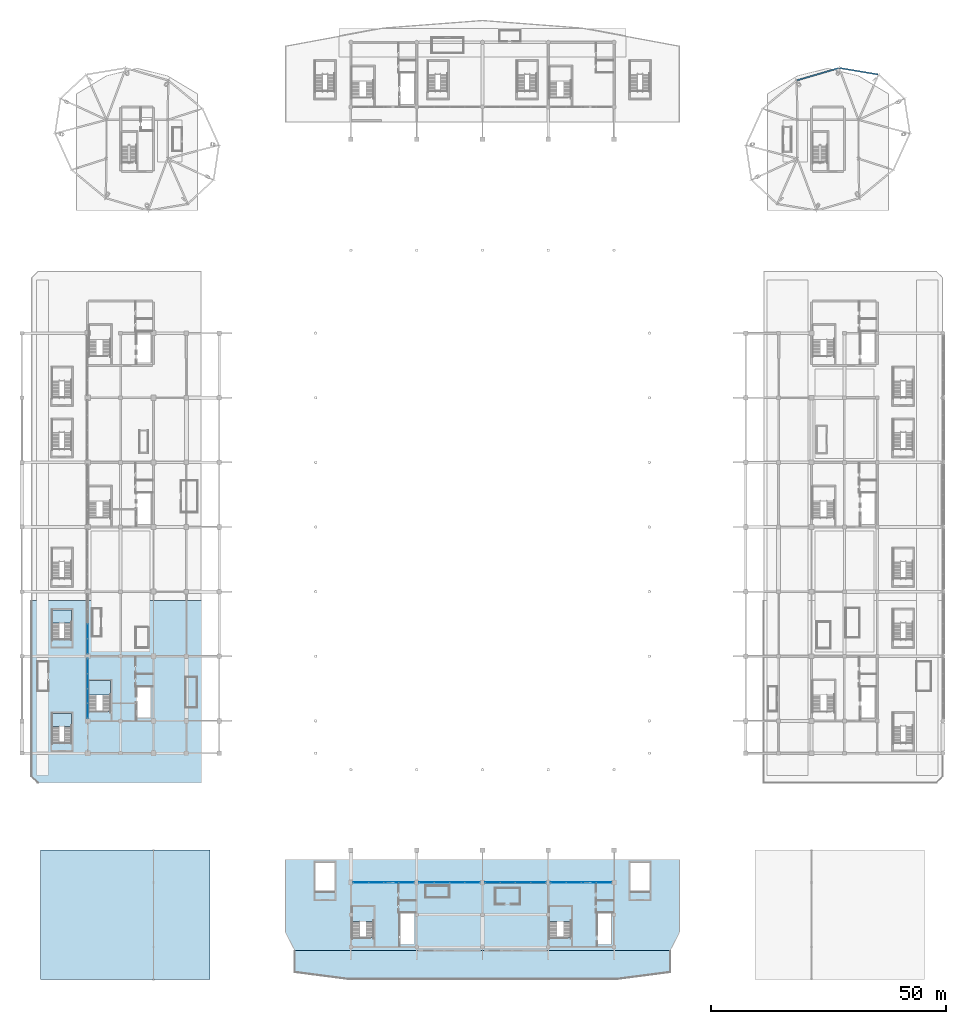
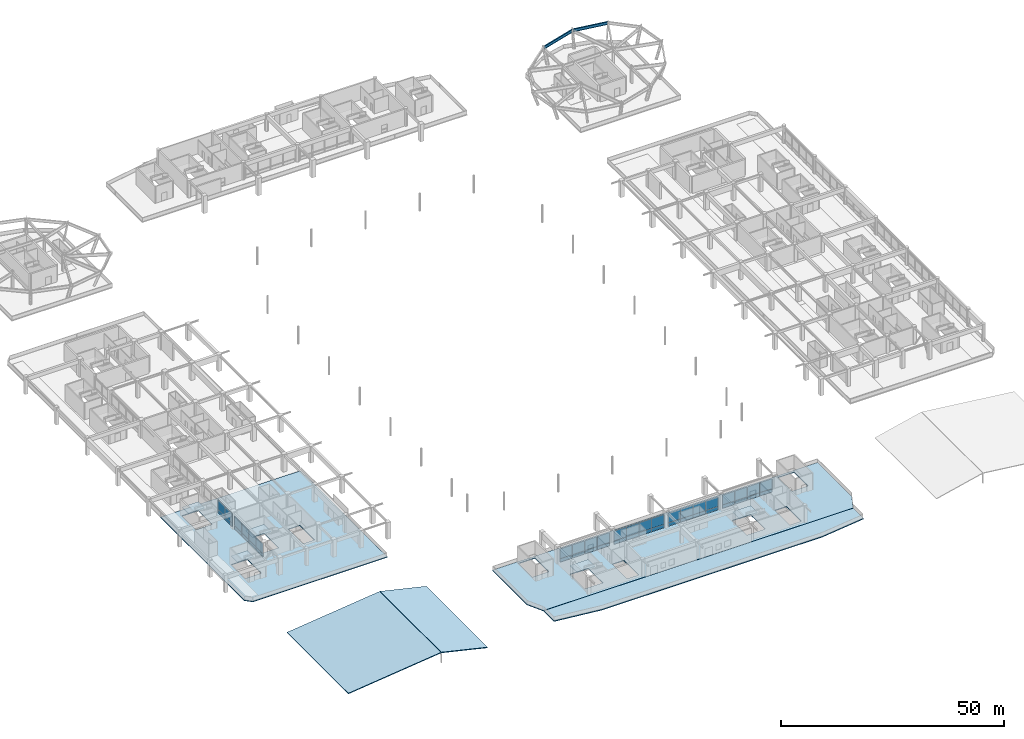
# One storey, part 49 of 91: 44 plates, 10 slabs, 2 beams, 11 elements without a shape of their own.
"""IFC4 building model written with IfcOpenShell, lengths in metres."""

from ifc_helpers import new_model, si_unit, direction, frame, origin, origin_2d, place, context, subcontext, project, spatial, polyline, rectangle, i_section, outline, extrude, material, layer, layer_set, material_profile, profile_set, type_object, element, aggregate, save


model = new_model("IFC4")

# Units and contexts
model_context = context("Model", 3, precision=1e-05, world=origin(), true_north=direction((0.0, 1.0)))
body_context = subcontext(model_context, "Body", "Model", "MODEL_VIEW")
ifc_project = project(units=[si_unit("LENGTHUNIT", "METRE"), si_unit("AREAUNIT", "SQUARE_METRE"), si_unit("VOLUMEUNIT", "CUBIC_METRE"), si_unit("PLANEANGLEUNIT", "RADIAN"), si_unit("MASSUNIT", "GRAM", prefix="KILO")], contexts=[model_context])

# Site, building, storey
site_placement = place(None, origin())
site = spatial("IfcSite", under=ifc_project, at=site_placement, CompositionType="ELEMENT")
building_placement = place(site_placement, origin())
building = spatial("IfcBuilding", under=site, at=building_placement, Name="Linyun Crest Stadium", CompositionType="ELEMENT")
storey_placement = place(building_placement, frame((0.0, 0.0, 11.39990234375)))
storey = spatial("IfcBuildingStorey", under=building, at=storey_placement, Name="L03", CompositionType="ELEMENT", Elevation=11.39990234375)

# Beams
ifc_material_1 = material(Name="Steel Q420C", Category="steel")
ifc_material_profile = material_profile(ifc_material_1, i_section(OverallWidth=0.300048828125, OverallDepth=0.800048828125, WebThickness=0.013916015625, FlangeThickness=0.02587890625, at=origin_2d()), Name="HN 800x300")
ifc_profile_set = profile_set([ifc_material_profile], Name="Steel Q420C")
beam_type = type_object("IfcBeamType", Name="TB04", PredefinedType="USERDEFINED", material=ifc_profile_set)
beam_1_placement = place(storey_placement, frame((84.173095703125, 98.410888671875, 4.080078125), z_axis=(-0.986326122979, 0.164805276399, 0.0), x_axis=(-0.164805276399, -0.986326122979, 0.0)))
element("IfcBeam", 1, at=beam_1_placement, inside=storey, type_object=beam_type, Name="Pod ring girder TB04 L03 99", ObjectType="GIRDER", PredefinedType="USERDEFINED", context=body_context, shape_type="SweptSolid", body=[
    extrude(i_section(OverallWidth=0.300048828125, OverallDepth=0.800048828125, WebThickness=0.013916015625, FlangeThickness=0.02587890625, at=origin_2d()), origin(), (0.0, 0.0, 1.0), 8.282470703125),
])
beam_2_placement = place(storey_placement, frame((75.77099609375, 99.761962890625, 4.080078125), z_axis=(-0.959462821713, -0.281835224468, 0.0), x_axis=(0.281835224468, -0.959462821713, 0.0)))
element("IfcBeam", 2, at=beam_2_placement, inside=storey, type_object=beam_type, Name="Pod ring girder TB04 L03 101", ObjectType="GIRDER", PredefinedType="USERDEFINED", context=body_context, shape_type="SweptSolid", body=[
    extrude(i_section(OverallWidth=0.300048828125, OverallDepth=0.800048828125, WebThickness=0.013916015625, FlangeThickness=0.02587890625, at=origin_2d()), origin(), (0.0, 0.0, 1.0), 9.182373046875),
])

# Slabs
ifc_material_2 = material(Name="Concrete C40", Category="concrete")
ifc_layer_1 = layer(ifc_material_2, 0.199951171875)
ifc_layer_set_1 = layer_set([ifc_layer_1], Name="Concrete C40")
slab_type_1 = type_object("IfcSlabType", Name="FS02", PredefinedType="FLOOR", material=ifc_layer_set_1)
slab_1_placement = place(storey_placement, frame((0.0, 0.0, -0.199951171875)))
element("IfcSlab", 3, at=slab_1_placement, inside=storey, type_object=slab_type_1, Name="Slab FS02 V1 L03 6", PredefinedType="FLOOR", context=body_context, shape_type="SweptSolid", body=[
    extrude(outline(polyline([(-94.60009765625, -52.3349609375), (-59.800048828125, -52.3349609375), (-59.800048828125, -13.510009765625), (-96.0, -13.510009765625), (-96.0, -50.93505859375), (-94.60009765625, -52.3349609375)]), holes=[polyline([(-83.824951171875, -37.10498046875), (-83.824951171875, -30.52490234375), (-79.10009765625, -30.52490234375), (-79.10009765625, -37.10498046875), (-83.824951171875, -37.10498046875)]), polyline([(-73.60009765625, -38.47509765625), (-73.60009765625, -31.875), (-70.60009765625, -31.875), (-70.60009765625, -38.47509765625), (-73.60009765625, -38.47509765625)]), polyline([(-91.60009765625, -43.75), (-91.60009765625, -37.5), (-87.39990234375, -37.5), (-87.39990234375, -43.75), (-91.60009765625, -43.75)]), polyline([(-91.60009765625, -21.75), (-91.60009765625, -15.5), (-87.39990234375, -15.5), (-87.39990234375, -21.75), (-91.60009765625, -21.75)])]), origin(), (0.0, 0.0, 1.0), 0.199951171875),
])
slab_2_placement = place(storey_placement, frame((0.0, 0.0, -0.199951171875)))
element("IfcSlab", 4, at=slab_2_placement, inside=storey, type_object=slab_type_1, Name="Slab FS02 V4 L03 41", PredefinedType="FLOOR", context=body_context, shape_type="SweptSolid", body=[
    extrude(outline(polyline([(-40.0, -88.0), (40.0, -88.0), (42.0, -84.0), (42.0, -68.60009765625), (-42.0, -68.60009765625), (-42.0, -84.0), (-40.0, -88.0)]), holes=[polyline([(-27.77490234375, -85.22998046875), (-27.77490234375, -78.64990234375), (-23.10009765625, -78.64990234375), (-23.10009765625, -85.22998046875), (-27.77490234375, -85.22998046875)]), polyline([(-17.60009765625, -86.60009765625), (-17.60009765625, -80.0), (-14.60009765625, -80.0), (-14.60009765625, -86.60009765625), (-17.60009765625, -86.60009765625)]), polyline([(14.175048828125, -85.22998046875), (14.175048828125, -78.64990234375), (18.89990234375, -78.64990234375), (18.89990234375, -85.22998046875), (14.175048828125, -85.22998046875)]), polyline([(24.39990234375, -86.60009765625), (24.39990234375, -80.0), (27.39990234375, -80.0), (27.39990234375, -86.60009765625), (24.39990234375, -86.60009765625)]), polyline([(-35.60009765625, -75.449951171875), (-35.60009765625, -69.199951171875), (-31.39990234375, -69.199951171875), (-31.39990234375, -75.449951171875), (-35.60009765625, -75.449951171875)]), polyline([(31.39990234375, -75.449951171875), (31.39990234375, -69.199951171875), (35.60009765625, -69.199951171875), (35.60009765625, -75.449951171875), (31.39990234375, -75.449951171875)])]), origin(), (0.0, 0.0, 1.0), 0.199951171875),
])

# Curtain wall, plates
ifc_material_3 = material(Name="Verdigris steel and low-E curtain wall assembly", Category="steel")
curtain_wall_type = type_object("IfcCurtainWallType", Name="MCW02", PredefinedType="NOTDEFINED", material=ifc_material_3)
curtain_wall_1_placement = place(storey_placement, origin())
curtain_wall_1 = element("IfcCurtainWall", 5, at=curtain_wall_1_placement, inside=storey, type_object=curtain_wall_type, Name="CWR-074", PredefinedType="NOTDEFINED")
ifc_material_4 = material(Name="Tempered solar-control low-E glass", Category="glass")
ifc_layer_2 = layer(ifc_material_4, 0.033935546875)
ifc_layer_set_2 = layer_set([ifc_layer_2], Name="Tempered solar-control low-E glass")
plate_type_1 = type_object("IfcPlateType", Name="GP03", PredefinedType="CURTAIN_PANEL", material=ifc_layer_set_2)
plate_1_placement = place(storey_placement, frame((-84.0, -36.993896484375, 0.97509765625), z_axis=(0.0, 0.0, 1.0), x_axis=(0.0, 1.0, 0.0)))
plate_1 = element("IfcPlate", 6, at=plate_1_placement, type_object=plate_type_1, Name="CWR-074 panel 1.2", PredefinedType="CURTAIN_PANEL", context=body_context, shape_type="SweptSolid", body=[
    extrude(rectangle(XDim=3.112548828125, YDim=0.033935546875, at=origin_2d()), origin(), (0.0, 0.0, 1.0), 2.64990234375),
])
plate_2_placement = place(storey_placement, frame((-84.0, -33.8310546875, 0.97509765625), z_axis=(0.0, 0.0, 1.0), x_axis=(0.0, 1.0, 0.0)))
plate_2 = element("IfcPlate", 7, at=plate_2_placement, type_object=plate_type_1, Name="CWR-074 panel 2.2", PredefinedType="CURTAIN_PANEL", context=body_context, shape_type="SweptSolid", body=[
    extrude(rectangle(XDim=3.112548828125, YDim=0.033935546875, at=origin_2d()), origin(), (0.0, 0.0, 1.0), 2.64990234375),
])
plate_3_placement = place(storey_placement, frame((-84.0, -30.6689453125, 0.97509765625), z_axis=(0.0, 0.0, 1.0), x_axis=(0.0, 1.0, 0.0)))
plate_3 = element("IfcPlate", 8, at=plate_3_placement, type_object=plate_type_1, Name="CWR-074 panel 3.2", PredefinedType="CURTAIN_PANEL", context=body_context, shape_type="SweptSolid", body=[
    extrude(rectangle(XDim=3.112548828125, YDim=0.033935546875, at=origin_2d()), origin(), (0.0, 0.0, 1.0), 2.64990234375),
])
plate_4_placement = place(storey_placement, frame((-84.0, -27.506103515625, 0.97509765625), z_axis=(0.0, 0.0, 1.0), x_axis=(0.0, 1.0, 0.0)))
plate_4 = element("IfcPlate", 9, at=plate_4_placement, type_object=plate_type_1, Name="CWR-074 panel 4.2", PredefinedType="CURTAIN_PANEL", context=body_context, shape_type="SweptSolid", body=[
    extrude(rectangle(XDim=3.112548828125, YDim=0.033935546875, at=origin_2d()), origin(), (0.0, 0.0, 1.0), 2.64990234375),
])

curtain_wall_2_placement = place(storey_placement, origin())
curtain_wall_2 = element("IfcCurtainWall", 10, at=curtain_wall_2_placement, inside=storey, type_object=curtain_wall_type, Name="CWR-083", PredefinedType="NOTDEFINED")
plate_5_placement = place(storey_placement, frame((-84.0, -23.243896484375, 0.97509765625), z_axis=(0.0, 0.0, 1.0), x_axis=(0.0, 1.0, 0.0)))
plate_5 = element("IfcPlate", 11, at=plate_5_placement, type_object=plate_type_1, Name="CWR-083 panel 1.2", PredefinedType="CURTAIN_PANEL", context=body_context, shape_type="SweptSolid", body=[
    extrude(rectangle(XDim=3.112548828125, YDim=0.033935546875, at=origin_2d()), origin(), (0.0, 0.0, 1.0), 2.64990234375),
])
plate_6_placement = place(storey_placement, frame((-84.0, -20.0810546875, 0.97509765625), z_axis=(0.0, 0.0, 1.0), x_axis=(0.0, 1.0, 0.0)))
plate_6 = element("IfcPlate", 12, at=plate_6_placement, type_object=plate_type_1, Name="CWR-083 panel 2.2", PredefinedType="CURTAIN_PANEL", context=body_context, shape_type="SweptSolid", body=[
    extrude(rectangle(XDim=3.112548828125, YDim=0.033935546875, at=origin_2d()), origin(), (0.0, 0.0, 1.0), 2.64990234375),
])

curtain_wall_3_placement = place(storey_placement, origin())
curtain_wall_3 = element("IfcCurtainWall", 13, at=curtain_wall_3_placement, inside=storey, type_object=curtain_wall_type, Name="CWR-132", PredefinedType="NOTDEFINED")
plate_7_placement = place(storey_placement, frame((-25.837890625, -73.5, 0.97509765625), z_axis=(0.0, 0.0, 1.0), x_axis=(1.0, 0.0, 0.0)))
plate_7 = element("IfcPlate", 14, at=plate_7_placement, type_object=plate_type_1, Name="CWR-132 panel 1.2", PredefinedType="CURTAIN_PANEL", context=body_context, shape_type="SweptSolid", body=[
    extrude(rectangle(XDim=3.175048828125, YDim=0.033935546875, at=origin_2d()), origin(), (0.0, 0.0, 1.0), 2.64990234375),
])
plate_8_placement = place(storey_placement, frame((-22.612060546875, -73.5, 0.97509765625), z_axis=(0.0, 0.0, 1.0), x_axis=(1.0, 0.0, 0.0)))
plate_8 = element("IfcPlate", 15, at=plate_8_placement, type_object=plate_type_1, Name="CWR-132 panel 2.2", PredefinedType="CURTAIN_PANEL", context=body_context, shape_type="SweptSolid", body=[
    extrude(rectangle(XDim=3.175048828125, YDim=0.033935546875, at=origin_2d()), origin(), (0.0, 0.0, 1.0), 2.64990234375),
])
plate_9_placement = place(storey_placement, frame((-19.387939453125, -73.5, 0.97509765625), z_axis=(0.0, 0.0, 1.0), x_axis=(1.0, 0.0, 0.0)))
plate_9 = element("IfcPlate", 16, at=plate_9_placement, type_object=plate_type_1, Name="CWR-132 panel 3.2", PredefinedType="CURTAIN_PANEL", context=body_context, shape_type="SweptSolid", body=[
    extrude(rectangle(XDim=3.175048828125, YDim=0.033935546875, at=origin_2d()), origin(), (0.0, 0.0, 1.0), 2.64990234375),
])
plate_10_placement = place(storey_placement, frame((-16.1630859375, -73.5, 0.97509765625), z_axis=(0.0, 0.0, 1.0), x_axis=(1.0, 0.0, 0.0)))
plate_10 = element("IfcPlate", 17, at=plate_10_placement, type_object=plate_type_1, Name="CWR-132 panel 4.2", PredefinedType="CURTAIN_PANEL", context=body_context, shape_type="SweptSolid", body=[
    extrude(rectangle(XDim=3.175048828125, YDim=0.033935546875, at=origin_2d()), origin(), (0.0, 0.0, 1.0), 2.64990234375),
])

curtain_wall_4_placement = place(storey_placement, origin())
curtain_wall_4 = element("IfcCurtainWall", 18, at=curtain_wall_4_placement, inside=storey, type_object=curtain_wall_type, Name="CWR-139", PredefinedType="NOTDEFINED")
plate_11_placement = place(storey_placement, frame((-11.8369140625, -73.5, 0.97509765625), z_axis=(0.0, 0.0, 1.0), x_axis=(1.0, 0.0, 0.0)))
plate_11 = element("IfcPlate", 19, at=plate_11_placement, type_object=plate_type_1, Name="CWR-139 panel 1.2", PredefinedType="CURTAIN_PANEL", context=body_context, shape_type="SweptSolid", body=[
    extrude(rectangle(XDim=3.175048828125, YDim=0.033935546875, at=origin_2d()), origin(), (0.0, 0.0, 1.0), 2.64990234375),
])
plate_12_placement = place(storey_placement, frame((-8.612060546875, -73.5, 0.97509765625), z_axis=(0.0, 0.0, 1.0), x_axis=(1.0, 0.0, 0.0)))
plate_12 = element("IfcPlate", 20, at=plate_12_placement, type_object=plate_type_1, Name="CWR-139 panel 2.2", PredefinedType="CURTAIN_PANEL", context=body_context, shape_type="SweptSolid", body=[
    extrude(rectangle(XDim=3.175048828125, YDim=0.033935546875, at=origin_2d()), origin(), (0.0, 0.0, 1.0), 2.64990234375),
])
plate_13_placement = place(storey_placement, frame((-5.386962890625, -73.5, 0.97509765625), z_axis=(0.0, 0.0, 1.0), x_axis=(1.0, 0.0, 0.0)))
plate_13 = element("IfcPlate", 21, at=plate_13_placement, type_object=plate_type_1, Name="CWR-139 panel 3.2", PredefinedType="CURTAIN_PANEL", context=body_context, shape_type="SweptSolid", body=[
    extrude(rectangle(XDim=3.175048828125, YDim=0.033935546875, at=origin_2d()), origin(), (0.0, 0.0, 1.0), 2.64990234375),
])
plate_14_placement = place(storey_placement, frame((-2.1630859375, -73.5, 0.97509765625), z_axis=(0.0, 0.0, 1.0), x_axis=(1.0, 0.0, 0.0)))
plate_14 = element("IfcPlate", 22, at=plate_14_placement, type_object=plate_type_1, Name="CWR-139 panel 4.2", PredefinedType="CURTAIN_PANEL", context=body_context, shape_type="SweptSolid", body=[
    extrude(rectangle(XDim=3.175048828125, YDim=0.033935546875, at=origin_2d()), origin(), (0.0, 0.0, 1.0), 2.64990234375),
])

curtain_wall_5_placement = place(storey_placement, origin())
curtain_wall_5 = element("IfcCurtainWall", 23, at=curtain_wall_5_placement, inside=storey, type_object=curtain_wall_type, Name="CWR-146", PredefinedType="NOTDEFINED")
plate_15_placement = place(storey_placement, frame((2.162109375, -73.5, 0.97509765625), z_axis=(0.0, 0.0, 1.0), x_axis=(1.0, 0.0, 0.0)))
plate_15 = element("IfcPlate", 24, at=plate_15_placement, type_object=plate_type_1, Name="CWR-146 panel 1.2", PredefinedType="CURTAIN_PANEL", context=body_context, shape_type="SweptSolid", body=[
    extrude(rectangle(XDim=3.175048828125, YDim=0.033935546875, at=origin_2d()), origin(), (0.0, 0.0, 1.0), 2.64990234375),
])
plate_16_placement = place(storey_placement, frame((5.386962890625, -73.5, 0.97509765625), z_axis=(0.0, 0.0, 1.0), x_axis=(1.0, 0.0, 0.0)))
plate_16 = element("IfcPlate", 25, at=plate_16_placement, type_object=plate_type_1, Name="CWR-146 panel 2.2", PredefinedType="CURTAIN_PANEL", context=body_context, shape_type="SweptSolid", body=[
    extrude(rectangle(XDim=3.175048828125, YDim=0.033935546875, at=origin_2d()), origin(), (0.0, 0.0, 1.0), 2.64990234375),
])
plate_17_placement = place(storey_placement, frame((8.612060546875, -73.5, 0.97509765625), z_axis=(0.0, 0.0, 1.0), x_axis=(1.0, 0.0, 0.0)))
plate_17 = element("IfcPlate", 26, at=plate_17_placement, type_object=plate_type_1, Name="CWR-146 panel 3.2", PredefinedType="CURTAIN_PANEL", context=body_context, shape_type="SweptSolid", body=[
    extrude(rectangle(XDim=3.175048828125, YDim=0.033935546875, at=origin_2d()), origin(), (0.0, 0.0, 1.0), 2.64990234375),
])
plate_18_placement = place(storey_placement, frame((11.8369140625, -73.5, 0.97509765625), z_axis=(0.0, 0.0, 1.0), x_axis=(1.0, 0.0, 0.0)))
plate_18 = element("IfcPlate", 27, at=plate_18_placement, type_object=plate_type_1, Name="CWR-146 panel 4.2", PredefinedType="CURTAIN_PANEL", context=body_context, shape_type="SweptSolid", body=[
    extrude(rectangle(XDim=3.175048828125, YDim=0.033935546875, at=origin_2d()), origin(), (0.0, 0.0, 1.0), 2.64990234375),
])

curtain_wall_6_placement = place(storey_placement, origin())
curtain_wall_6 = element("IfcCurtainWall", 28, at=curtain_wall_6_placement, inside=storey, type_object=curtain_wall_type, Name="CWR-153", PredefinedType="NOTDEFINED")
plate_19_placement = place(storey_placement, frame((16.1630859375, -73.5, 0.97509765625), z_axis=(0.0, 0.0, 1.0), x_axis=(1.0, 0.0, 0.0)))
plate_19 = element("IfcPlate", 29, at=plate_19_placement, type_object=plate_type_1, Name="CWR-153 panel 1.2", PredefinedType="CURTAIN_PANEL", context=body_context, shape_type="SweptSolid", body=[
    extrude(rectangle(XDim=3.175048828125, YDim=0.033935546875, at=origin_2d()), origin(), (0.0, 0.0, 1.0), 2.64990234375),
])
plate_20_placement = place(storey_placement, frame((19.387939453125, -73.5, 0.97509765625), z_axis=(0.0, 0.0, 1.0), x_axis=(1.0, 0.0, 0.0)))
plate_20 = element("IfcPlate", 30, at=plate_20_placement, type_object=plate_type_1, Name="CWR-153 panel 2.2", PredefinedType="CURTAIN_PANEL", context=body_context, shape_type="SweptSolid", body=[
    extrude(rectangle(XDim=3.175048828125, YDim=0.033935546875, at=origin_2d()), origin(), (0.0, 0.0, 1.0), 2.64990234375),
])
plate_21_placement = place(storey_placement, frame((22.612060546875, -73.5, 0.97509765625), z_axis=(0.0, 0.0, 1.0), x_axis=(1.0, 0.0, 0.0)))
plate_21 = element("IfcPlate", 31, at=plate_21_placement, type_object=plate_type_1, Name="CWR-153 panel 3.2", PredefinedType="CURTAIN_PANEL", context=body_context, shape_type="SweptSolid", body=[
    extrude(rectangle(XDim=3.175048828125, YDim=0.033935546875, at=origin_2d()), origin(), (0.0, 0.0, 1.0), 2.64990234375),
])
plate_22_placement = place(storey_placement, frame((25.837890625, -73.5, 0.97509765625), z_axis=(0.0, 0.0, 1.0), x_axis=(1.0, 0.0, 0.0)))
plate_22 = element("IfcPlate", 32, at=plate_22_placement, type_object=plate_type_1, Name="CWR-153 panel 4.2", PredefinedType="CURTAIN_PANEL", context=body_context, shape_type="SweptSolid", body=[
    extrude(rectangle(XDim=3.175048828125, YDim=0.033935546875, at=origin_2d()), origin(), (0.0, 0.0, 1.0), 2.64990234375),
])

# Stair, slab
ifc_material_5 = material(Name="Concrete C40", Category="concrete")
stair_type = type_object("IfcStairType", Name="STA03", PredefinedType="HALF_TURN_STAIR", material=ifc_material_5)
stair_1_placement = place(storey_placement, origin())
stair_1 = element("IfcStair", 33, at=stair_1_placement, inside=storey, type_object=stair_type, Name="Evacuation stair STR-01-L03", PredefinedType="HALF_TURN_STAIR")
ifc_material_6 = material(Name="Concrete C40", Category="concrete")
ifc_layer_3 = layer(ifc_material_6, 0.179931640625)
ifc_layer_set_3 = layer_set([ifc_layer_3], Name="Concrete C40")
slab_type_2 = type_object("IfcSlabType", Name="LS01", PredefinedType="LANDING", material=ifc_layer_set_3)
slab_3_placement = place(storey_placement, frame((0.0, 0.0, 2.22021484375)))
slab_3 = element("IfcSlab", 34, at=slab_3_placement, type_object=slab_type_2, Name="STR-01-L03 half-landing", PredefinedType="LANDING", context=body_context, shape_type="SweptSolid", body=[
    extrude(outline(polyline([(-83.824951171875, -33.635009765625), (-79.10009765625, -33.635009765625), (-79.10009765625, -30.52490234375), (-83.824951171875, -30.52490234375), (-83.824951171875, -33.635009765625)])), origin(), (0.0, 0.0, 1.0), 0.179931640625),
])
aggregate(stair_1, [slab_3])

stair_2_placement = place(storey_placement, origin())
stair_2 = element("IfcStair", 35, at=stair_2_placement, inside=storey, type_object=stair_type, Name="Evacuation stair STR-09-L03", PredefinedType="HALF_TURN_STAIR")
slab_4_placement = place(storey_placement, frame((0.0, 0.0, 2.22021484375)))
slab_4 = element("IfcSlab", 36, at=slab_4_placement, type_object=slab_type_2, Name="STR-09-L03 half-landing", PredefinedType="LANDING", context=body_context, shape_type="SweptSolid", body=[
    extrude(outline(polyline([(-27.77490234375, -81.760009765625), (-23.10009765625, -81.760009765625), (-23.10009765625, -78.64990234375), (-27.77490234375, -78.64990234375), (-27.77490234375, -81.760009765625)])), origin(), (0.0, 0.0, 1.0), 0.179931640625),
])
aggregate(stair_2, [slab_4])

stair_3_placement = place(storey_placement, origin())
stair_3 = element("IfcStair", 37, at=stair_3_placement, inside=storey, type_object=stair_type, Name="Evacuation stair STR-10-L03", PredefinedType="HALF_TURN_STAIR")
slab_5_placement = place(storey_placement, frame((0.0, 0.0, 2.22021484375)))
slab_5 = element("IfcSlab", 38, at=slab_5_placement, type_object=slab_type_2, Name="STR-10-L03 half-landing", PredefinedType="LANDING", context=body_context, shape_type="SweptSolid", body=[
    extrude(outline(polyline([(14.175048828125, -81.760009765625), (18.89990234375, -81.760009765625), (18.89990234375, -78.64990234375), (14.175048828125, -78.64990234375), (14.175048828125, -81.760009765625)])), origin(), (0.0, 0.0, 1.0), 0.179931640625),
])
aggregate(stair_3, [slab_5])

stair_4_placement = place(storey_placement, origin())
stair_4 = element("IfcStair", 39, at=stair_4_placement, inside=storey, type_object=stair_type, Name="Vomitory evacuation stair STR-13-L03", PredefinedType="HALF_TURN_STAIR")
slab_6_placement = place(storey_placement, frame((0.0, 0.0, 2.22021484375)))
slab_6 = element("IfcSlab", 40, at=slab_6_placement, type_object=slab_type_2, Name="STR-13-L03 half-landing", PredefinedType="LANDING", context=body_context, shape_type="SweptSolid", body=[
    extrude(outline(polyline([(-91.60009765625, -40.280029296875), (-87.39990234375, -40.280029296875), (-87.39990234375, -37.5), (-91.60009765625, -37.5), (-91.60009765625, -40.280029296875)])), origin(), (0.0, 0.0, 1.0), 0.179931640625),
])
aggregate(stair_4, [slab_6])

stair_5_placement = place(storey_placement, origin())
stair_5 = element("IfcStair", 41, at=stair_5_placement, inside=storey, type_object=stair_type, Name="Vomitory evacuation stair STR-14-L03", PredefinedType="HALF_TURN_STAIR")
slab_7_placement = place(storey_placement, frame((0.0, 0.0, 2.22021484375)))
slab_7 = element("IfcSlab", 42, at=slab_7_placement, type_object=slab_type_2, Name="STR-14-L03 half-landing", PredefinedType="LANDING", context=body_context, shape_type="SweptSolid", body=[
    extrude(outline(polyline([(-91.60009765625, -18.280029296875), (-87.39990234375, -18.280029296875), (-87.39990234375, -15.5), (-91.60009765625, -15.5), (-91.60009765625, -18.280029296875)])), origin(), (0.0, 0.0, 1.0), 0.179931640625),
])
aggregate(stair_5, [slab_7])

# Slabs
ifc_material_7 = material(Name="Concrete C40", Category="concrete")
ifc_layer_4 = layer(ifc_material_7, 0.205078125)
ifc_layer_set_4 = layer_set([ifc_layer_4], Name="Concrete C40")
slab_type_3 = type_object("IfcSlabType", Name="RS01", PredefinedType="ROOF", material=ifc_layer_set_4)
slab_8_placement = place(storey_placement, frame((-94.0, -94.125, 0.0), z_axis=(-0.116097076489, 0.0, 0.993237871223), x_axis=(0.993237871223, 0.0, 0.116097076489)))
element("IfcSlab", 43, at=slab_8_placement, inside=storey, type_object=slab_type_3, Name="Sloped pavilion roof RS01 SW 1", PredefinedType="ROOF", context=body_context, shape_type="SweptSolid", body=[
    extrude(outline(polyline([(0.0, 0.0), (24.118168284816694, 0.0), (24.118168284816694, 27.5), (0.0, 27.5), (0.0, 0.0)])), origin(), (0.0, 0.0, -1.0), 0.205078125),
])
slab_9_placement = place(storey_placement, frame((-69.955078125, -94.125, 2.800048828125), z_axis=(0.228042891661, 0.0, 0.973651087178), x_axis=(0.973651087178, 0.0, -0.228042891661)))
element("IfcSlab", 44, at=slab_9_placement, inside=storey, type_object=slab_type_3, Name="Sloped pavilion roof RS01 SW 2", PredefinedType="ROOF", context=body_context, shape_type="SweptSolid", body=[
    extrude(outline(polyline([(0.0, 0.0), (12.278606045261721, 0.0), (12.278606045261721, 27.5), (0.0, 27.5), (0.0, 0.0)])), origin(), (0.0, 0.0, -1.0), 0.205078125),
])

# Plate
ifc_material_8 = material(Name="Warm ochre glazed ceramic faience spandrel")
ifc_layer_5 = layer(ifc_material_8, 0.048095703125)
ifc_layer_set_5 = layer_set([ifc_layer_5], Name="Warm ochre glazed ceramic faience spandrel")
plate_type_2 = type_object("IfcPlateType", Name="SP02", PredefinedType="SHEET", material=ifc_layer_set_5)
plate_23_placement = place(storey_placement, frame((-84.0, -36.993896484375, 0.025146484375), z_axis=(0.0, 0.0, 1.0), x_axis=(0.0, 1.0, 0.0)))
plate_23 = element("IfcPlate", 45, at=plate_23_placement, type_object=plate_type_2, Name="CWR-074 panel 1.1", PredefinedType="SHEET", context=body_context, shape_type="SweptSolid", body=[
    extrude(rectangle(XDim=3.112548828125, YDim=0.048095703125, at=origin_2d()), origin(), (0.0, 0.0, 1.0), 0.89990234375),
])

plate_24_placement = place(storey_placement, frame((-84.0, -33.8310546875, 0.025146484375), z_axis=(0.0, 0.0, 1.0), x_axis=(0.0, 1.0, 0.0)))
plate_24 = element("IfcPlate", 46, at=plate_24_placement, type_object=plate_type_2, Name="CWR-074 panel 2.1", PredefinedType="SHEET", context=body_context, shape_type="SweptSolid", body=[
    extrude(rectangle(XDim=3.112548828125, YDim=0.048095703125, at=origin_2d()), origin(), (0.0, 0.0, 1.0), 0.89990234375),
])

plate_25_placement = place(storey_placement, frame((-84.0, -30.6689453125, 0.025146484375), z_axis=(0.0, 0.0, 1.0), x_axis=(0.0, 1.0, 0.0)))
plate_25 = element("IfcPlate", 47, at=plate_25_placement, type_object=plate_type_2, Name="CWR-074 panel 3.1", PredefinedType="SHEET", context=body_context, shape_type="SweptSolid", body=[
    extrude(rectangle(XDim=3.112548828125, YDim=0.048095703125, at=origin_2d()), origin(), (0.0, 0.0, 1.0), 0.89990234375),
])

plate_26_placement = place(storey_placement, frame((-84.0, -27.506103515625, 0.025146484375), z_axis=(0.0, 0.0, 1.0), x_axis=(0.0, 1.0, 0.0)))
plate_26 = element("IfcPlate", 48, at=plate_26_placement, type_object=plate_type_2, Name="CWR-074 panel 4.1", PredefinedType="SHEET", context=body_context, shape_type="SweptSolid", body=[
    extrude(rectangle(XDim=3.112548828125, YDim=0.048095703125, at=origin_2d()), origin(), (0.0, 0.0, 1.0), 0.89990234375),
])

aggregate(curtain_wall_1, [plate_23, plate_1, plate_24, plate_2, plate_25, plate_3, plate_26, plate_4])

plate_27_placement = place(storey_placement, frame((-84.0, -23.243896484375, 0.025146484375), z_axis=(0.0, 0.0, 1.0), x_axis=(0.0, 1.0, 0.0)))
plate_27 = element("IfcPlate", 49, at=plate_27_placement, type_object=plate_type_2, Name="CWR-083 panel 1.1", PredefinedType="SHEET", context=body_context, shape_type="SweptSolid", body=[
    extrude(rectangle(XDim=3.112548828125, YDim=0.048095703125, at=origin_2d()), origin(), (0.0, 0.0, 1.0), 0.89990234375),
])

plate_28_placement = place(storey_placement, frame((-84.0, -20.0810546875, 0.025146484375), z_axis=(0.0, 0.0, 1.0), x_axis=(0.0, 1.0, 0.0)))
plate_28 = element("IfcPlate", 50, at=plate_28_placement, type_object=plate_type_2, Name="CWR-083 panel 2.1", PredefinedType="SHEET", context=body_context, shape_type="SweptSolid", body=[
    extrude(rectangle(XDim=3.112548828125, YDim=0.048095703125, at=origin_2d()), origin(), (0.0, 0.0, 1.0), 0.89990234375),
])

aggregate(curtain_wall_2, [plate_27, plate_5, plate_28, plate_6])

plate_29_placement = place(storey_placement, frame((-25.837890625, -73.5, 0.025146484375), z_axis=(0.0, 0.0, 1.0), x_axis=(1.0, 0.0, 0.0)))
plate_29 = element("IfcPlate", 51, at=plate_29_placement, type_object=plate_type_2, Name="CWR-132 panel 1.1", PredefinedType="SHEET", context=body_context, shape_type="SweptSolid", body=[
    extrude(rectangle(XDim=3.175048828125, YDim=0.048095703125, at=origin_2d()), origin(), (0.0, 0.0, 1.0), 0.89990234375),
])

plate_30_placement = place(storey_placement, frame((-22.612060546875, -73.5, 0.025146484375), z_axis=(0.0, 0.0, 1.0), x_axis=(1.0, 0.0, 0.0)))
plate_30 = element("IfcPlate", 52, at=plate_30_placement, type_object=plate_type_2, Name="CWR-132 panel 2.1", PredefinedType="SHEET", context=body_context, shape_type="SweptSolid", body=[
    extrude(rectangle(XDim=3.175048828125, YDim=0.048095703125, at=origin_2d()), origin(), (0.0, 0.0, 1.0), 0.89990234375),
])

plate_31_placement = place(storey_placement, frame((-19.387939453125, -73.5, 0.025146484375), z_axis=(0.0, 0.0, 1.0), x_axis=(1.0, 0.0, 0.0)))
plate_31 = element("IfcPlate", 53, at=plate_31_placement, type_object=plate_type_2, Name="CWR-132 panel 3.1", PredefinedType="SHEET", context=body_context, shape_type="SweptSolid", body=[
    extrude(rectangle(XDim=3.175048828125, YDim=0.048095703125, at=origin_2d()), origin(), (0.0, 0.0, 1.0), 0.89990234375),
])

plate_32_placement = place(storey_placement, frame((-16.1630859375, -73.5, 0.025146484375), z_axis=(0.0, 0.0, 1.0), x_axis=(1.0, 0.0, 0.0)))
plate_32 = element("IfcPlate", 54, at=plate_32_placement, type_object=plate_type_2, Name="CWR-132 panel 4.1", PredefinedType="SHEET", context=body_context, shape_type="SweptSolid", body=[
    extrude(rectangle(XDim=3.175048828125, YDim=0.048095703125, at=origin_2d()), origin(), (0.0, 0.0, 1.0), 0.89990234375),
])

aggregate(curtain_wall_3, [plate_29, plate_7, plate_30, plate_8, plate_31, plate_9, plate_32, plate_10])

plate_33_placement = place(storey_placement, frame((-11.8369140625, -73.5, 0.025146484375), z_axis=(0.0, 0.0, 1.0), x_axis=(1.0, 0.0, 0.0)))
plate_33 = element("IfcPlate", 55, at=plate_33_placement, type_object=plate_type_2, Name="CWR-139 panel 1.1", PredefinedType="SHEET", context=body_context, shape_type="SweptSolid", body=[
    extrude(rectangle(XDim=3.175048828125, YDim=0.048095703125, at=origin_2d()), origin(), (0.0, 0.0, 1.0), 0.89990234375),
])

plate_34_placement = place(storey_placement, frame((-8.612060546875, -73.5, 0.025146484375), z_axis=(0.0, 0.0, 1.0), x_axis=(1.0, 0.0, 0.0)))
plate_34 = element("IfcPlate", 56, at=plate_34_placement, type_object=plate_type_2, Name="CWR-139 panel 2.1", PredefinedType="SHEET", context=body_context, shape_type="SweptSolid", body=[
    extrude(rectangle(XDim=3.175048828125, YDim=0.048095703125, at=origin_2d()), origin(), (0.0, 0.0, 1.0), 0.89990234375),
])

plate_35_placement = place(storey_placement, frame((-5.386962890625, -73.5, 0.025146484375), z_axis=(0.0, 0.0, 1.0), x_axis=(1.0, 0.0, 0.0)))
plate_35 = element("IfcPlate", 57, at=plate_35_placement, type_object=plate_type_2, Name="CWR-139 panel 3.1", PredefinedType="SHEET", context=body_context, shape_type="SweptSolid", body=[
    extrude(rectangle(XDim=3.175048828125, YDim=0.048095703125, at=origin_2d()), origin(), (0.0, 0.0, 1.0), 0.89990234375),
])

plate_36_placement = place(storey_placement, frame((-2.1630859375, -73.5, 0.025146484375), z_axis=(0.0, 0.0, 1.0), x_axis=(1.0, 0.0, 0.0)))
plate_36 = element("IfcPlate", 58, at=plate_36_placement, type_object=plate_type_2, Name="CWR-139 panel 4.1", PredefinedType="SHEET", context=body_context, shape_type="SweptSolid", body=[
    extrude(rectangle(XDim=3.175048828125, YDim=0.048095703125, at=origin_2d()), origin(), (0.0, 0.0, 1.0), 0.89990234375),
])

aggregate(curtain_wall_4, [plate_33, plate_11, plate_34, plate_12, plate_35, plate_13, plate_36, plate_14])

plate_37_placement = place(storey_placement, frame((2.162109375, -73.5, 0.025146484375), z_axis=(0.0, 0.0, 1.0), x_axis=(1.0, 0.0, 0.0)))
plate_37 = element("IfcPlate", 59, at=plate_37_placement, type_object=plate_type_2, Name="CWR-146 panel 1.1", PredefinedType="SHEET", context=body_context, shape_type="SweptSolid", body=[
    extrude(rectangle(XDim=3.175048828125, YDim=0.048095703125, at=origin_2d()), origin(), (0.0, 0.0, 1.0), 0.89990234375),
])

plate_38_placement = place(storey_placement, frame((5.386962890625, -73.5, 0.025146484375), z_axis=(0.0, 0.0, 1.0), x_axis=(1.0, 0.0, 0.0)))
plate_38 = element("IfcPlate", 60, at=plate_38_placement, type_object=plate_type_2, Name="CWR-146 panel 2.1", PredefinedType="SHEET", context=body_context, shape_type="SweptSolid", body=[
    extrude(rectangle(XDim=3.175048828125, YDim=0.048095703125, at=origin_2d()), origin(), (0.0, 0.0, 1.0), 0.89990234375),
])

plate_39_placement = place(storey_placement, frame((8.612060546875, -73.5, 0.025146484375), z_axis=(0.0, 0.0, 1.0), x_axis=(1.0, 0.0, 0.0)))
plate_39 = element("IfcPlate", 61, at=plate_39_placement, type_object=plate_type_2, Name="CWR-146 panel 3.1", PredefinedType="SHEET", context=body_context, shape_type="SweptSolid", body=[
    extrude(rectangle(XDim=3.175048828125, YDim=0.048095703125, at=origin_2d()), origin(), (0.0, 0.0, 1.0), 0.89990234375),
])

plate_40_placement = place(storey_placement, frame((11.8369140625, -73.5, 0.025146484375), z_axis=(0.0, 0.0, 1.0), x_axis=(1.0, 0.0, 0.0)))
plate_40 = element("IfcPlate", 62, at=plate_40_placement, type_object=plate_type_2, Name="CWR-146 panel 4.1", PredefinedType="SHEET", context=body_context, shape_type="SweptSolid", body=[
    extrude(rectangle(XDim=3.175048828125, YDim=0.048095703125, at=origin_2d()), origin(), (0.0, 0.0, 1.0), 0.89990234375),
])

aggregate(curtain_wall_5, [plate_37, plate_15, plate_38, plate_16, plate_39, plate_17, plate_40, plate_18])

plate_41_placement = place(storey_placement, frame((16.1630859375, -73.5, 0.025146484375), z_axis=(0.0, 0.0, 1.0), x_axis=(1.0, 0.0, 0.0)))
plate_41 = element("IfcPlate", 63, at=plate_41_placement, type_object=plate_type_2, Name="CWR-153 panel 1.1", PredefinedType="SHEET", context=body_context, shape_type="SweptSolid", body=[
    extrude(rectangle(XDim=3.175048828125, YDim=0.048095703125, at=origin_2d()), origin(), (0.0, 0.0, 1.0), 0.89990234375),
])

plate_42_placement = place(storey_placement, frame((19.387939453125, -73.5, 0.025146484375), z_axis=(0.0, 0.0, 1.0), x_axis=(1.0, 0.0, 0.0)))
plate_42 = element("IfcPlate", 64, at=plate_42_placement, type_object=plate_type_2, Name="CWR-153 panel 2.1", PredefinedType="SHEET", context=body_context, shape_type="SweptSolid", body=[
    extrude(rectangle(XDim=3.175048828125, YDim=0.048095703125, at=origin_2d()), origin(), (0.0, 0.0, 1.0), 0.89990234375),
])

plate_43_placement = place(storey_placement, frame((22.612060546875, -73.5, 0.025146484375), z_axis=(0.0, 0.0, 1.0), x_axis=(1.0, 0.0, 0.0)))
plate_43 = element("IfcPlate", 65, at=plate_43_placement, type_object=plate_type_2, Name="CWR-153 panel 3.1", PredefinedType="SHEET", context=body_context, shape_type="SweptSolid", body=[
    extrude(rectangle(XDim=3.175048828125, YDim=0.048095703125, at=origin_2d()), origin(), (0.0, 0.0, 1.0), 0.89990234375),
])

plate_44_placement = place(storey_placement, frame((25.837890625, -73.5, 0.025146484375), z_axis=(0.0, 0.0, 1.0), x_axis=(1.0, 0.0, 0.0)))
plate_44 = element("IfcPlate", 66, at=plate_44_placement, type_object=plate_type_2, Name="CWR-153 panel 4.1", PredefinedType="SHEET", context=body_context, shape_type="SweptSolid", body=[
    extrude(rectangle(XDim=3.175048828125, YDim=0.048095703125, at=origin_2d()), origin(), (0.0, 0.0, 1.0), 0.89990234375),
])

aggregate(curtain_wall_6, [plate_41, plate_19, plate_42, plate_20, plate_43, plate_21, plate_44, plate_22])

# Slab
ifc_material_9 = material(Name="Concrete C40", Category="concrete")
ifc_layer_6 = layer(ifc_material_9, 0.239990234375)
ifc_layer_set_6 = layer_set([ifc_layer_6], Name="Concrete C40")
slab_type_4 = type_object("IfcSlabType", Name="TS01", PredefinedType="FLOOR", material=ifc_layer_set_6)
slab_10_placement = place(storey_placement, frame((0.0, 0.0, -0.239990234375)))
element("IfcSlab", 67, at=slab_10_placement, inside=storey, type_object=slab_type_4, Name="Slab TS01 V4 L03 43", PredefinedType="FLOOR", context=body_context, shape_type="SweptSolid", body=[
    extrude(outline(polyline([(-40.0, -92.625), (-28.5, -94.125), (28.5, -94.125), (40.0, -92.625), (40.0, -88.02001953125), (-40.0, -88.02001953125), (-40.0, -92.625)])), origin(), (0.0, 0.0, 1.0), 0.239990234375),
])

save(model, "model.ifc")
